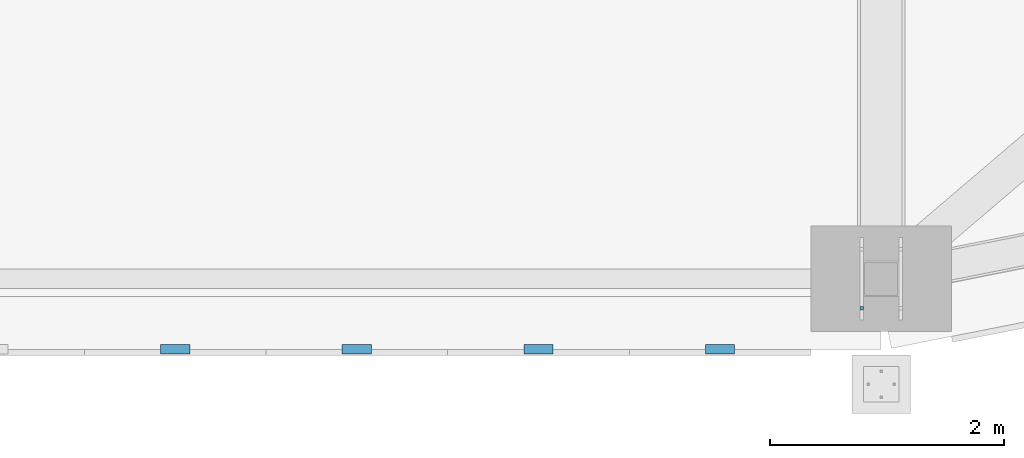
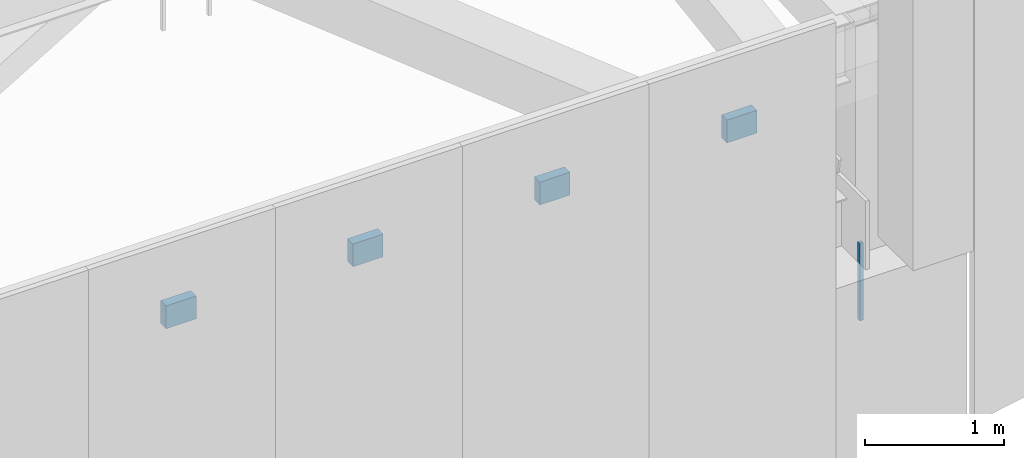
# One storey, part 143 of 278: 4 discrete accessories, 1 mechanical fastener.
"""IFC4 building model written with IfcOpenShell, lengths in metres."""

from ifc_helpers import new_model, si_unit, direction, frame, origin, origin_2d, place, context, subcontext, project, spatial, rectangle, extrude, material, layer, layer_set, type_object, element, save


model = new_model("IFC4")

# Units and contexts
model_context = context("Model", 3, precision=1e-05, world=origin(), true_north=direction((0.0, 1.0)))
body_context = subcontext(model_context, "Body", "Model", "MODEL_VIEW")
ifc_project = project(units=[si_unit("LENGTHUNIT", "METRE"), si_unit("AREAUNIT", "SQUARE_METRE"), si_unit("VOLUMEUNIT", "CUBIC_METRE"), si_unit("PLANEANGLEUNIT", "RADIAN"), si_unit("MASSUNIT", "GRAM", prefix="KILO")], contexts=[model_context])

# Site, building, storey
site_placement = place(None, origin())
site = spatial("IfcSite", under=ifc_project, at=site_placement, CompositionType="ELEMENT")
building_placement = place(site_placement, origin())
building = spatial("IfcBuilding", under=site, at=building_placement, Name="Ogive Plaza Stadium", CompositionType="ELEMENT")
storey_placement = place(building_placement, frame((0.0, 0.0, 29.0)))
storey = spatial("IfcBuildingStorey", under=building, at=storey_placement, Name="Roof", CompositionType="ELEMENT", Elevation=29.0)

# Mechanical fastener
ifc_material_1 = material(Name="Steel ASTM A992 Grade 50", Category="steel")
mechanical_fastener_type = type_object("IfcMechanicalFastenerType", Name="Anchor bolt M30 x 600", PredefinedType="ANCHORBOLT", material=ifc_material_1)
mechanical_fastener_placement = place(storey_placement, frame((33.83349609375, -102.75244140625, 3.0), z_axis=(0.0, 0.0, 1.0), x_axis=(0.0, -1.0, 0.0)))
element("IfcMechanicalFastener", 1, at=mechanical_fastener_placement, inside=storey, type_object=mechanical_fastener_type, Name="ANCHOR BOLT 12 BF 2.1", PredefinedType="ANCHORBOLT", context=body_context, shape_type="SweptSolid", body=[
    extrude(rectangle(XDim=0.030029296875, YDim=0.030029296875, at=origin_2d()), origin(), (0.0, 0.0, 1.0), 0.679931640625),
])

# Discrete accessories
ifc_material_2 = material(Name="Steel ASTM A572 Grade 50", Category="steel")
ifc_layer = layer(ifc_material_2, 0.080078125)
ifc_layer_set = layer_set([ifc_layer], Name="Steel ASTM A572 Grade 50")
discrete_accessory_type = type_object("IfcDiscreteAccessoryType", Name="Tracery screen bracket 250x200", PredefinedType="BRACKET", material=ifc_layer_set)
for number, where, z_axis, x_axis, name in (
    (2, (32.625, -103.102294921875, 5.25), (0.0, 0.0, 1.0), (-1.0, 0.0, 0.0), "TRACERY SCREEN BRACKET B12 1"),
    (3, (31.074951171875, -103.102294921875, 5.25), (0.0, 0.0, 1.0), (-1.0, 0.0, 0.0), "TRACERY SCREEN BRACKET B12 2"),
    (4, (29.52490234375, -103.102294921875, 5.25), (0.0, 0.0, 1.0), (-1.0, 0.0, 0.0), "TRACERY SCREEN BRACKET B12 3"),
    (5, (27.97509765625, -103.102294921875, 5.25), (0.0, 0.0, 1.0), (-1.0, 0.0, 0.0), "TRACERY SCREEN BRACKET B12 4"),
):
    element("IfcDiscreteAccessory", number, at=place(storey_placement, frame(where, z_axis=z_axis, x_axis=x_axis)), inside=storey, type_object=discrete_accessory_type, Name=name, PredefinedType="BRACKET", context=body_context, shape_type="SweptSolid", body=[
        extrude(rectangle(XDim=0.25, YDim=0.080078125, at=origin_2d()), origin(), (0.0, 0.0, 1.0), 0.199951171875),
    ])

save(model, "model.ifc")
